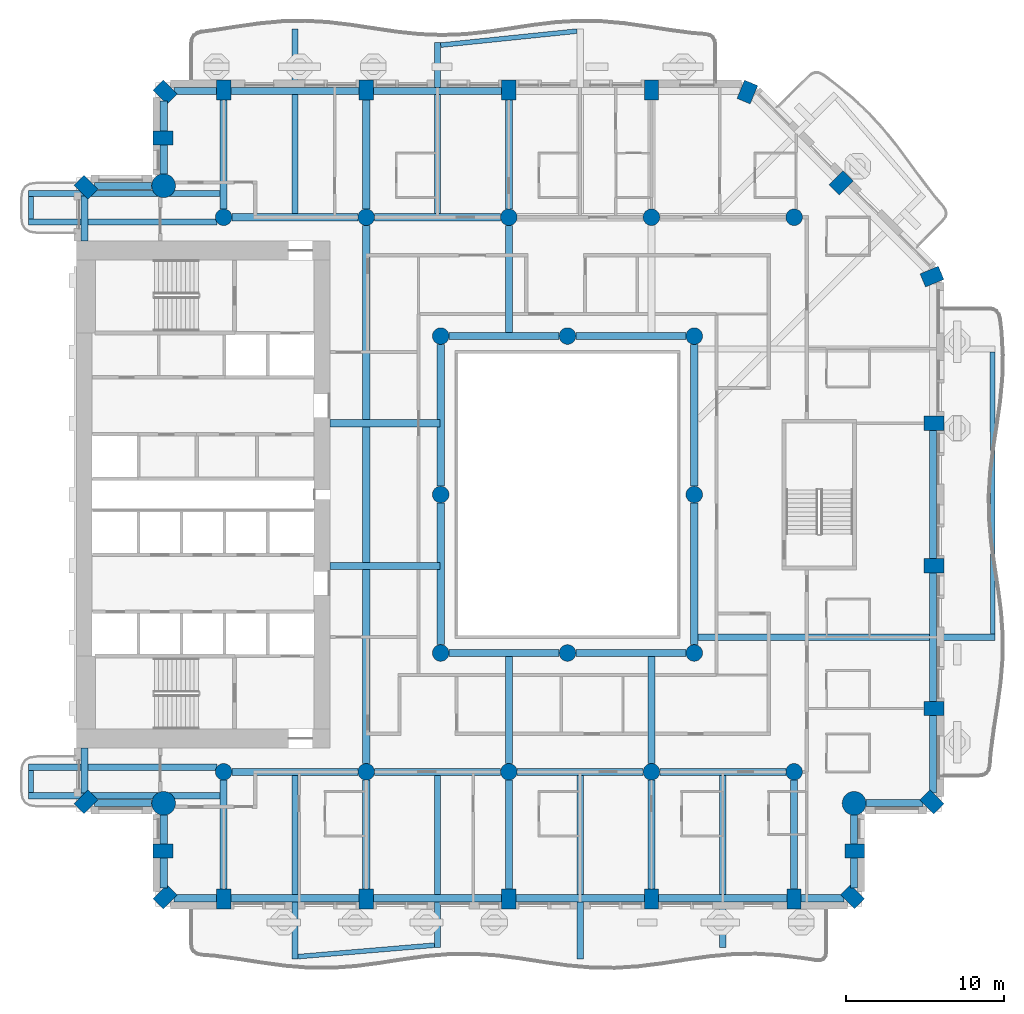
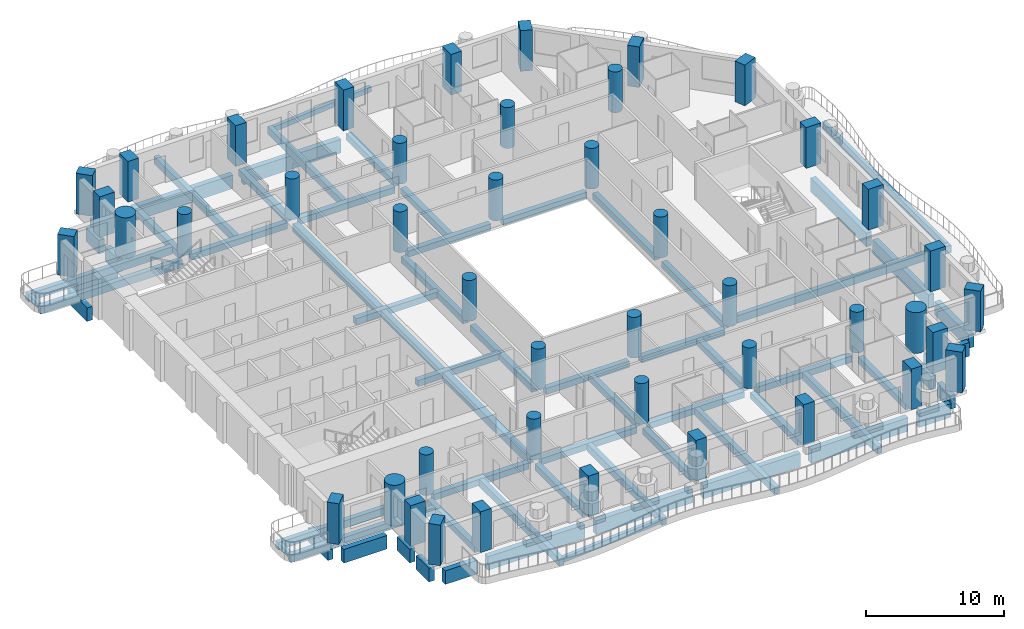
# One storey, part 1 of 20: 69 beams, 45 columns.
"""IFC4 building model written with IfcOpenShell, lengths in metres."""

from ifc_helpers import new_model, si_unit, direction, frame, origin, origin_2d, place, context, subcontext, project, spatial, rectangle, circle, extrude, material, material_profile, profile_set, type_object, element, save


model = new_model("IFC4")

# Units and contexts
model_context = context("Model", 3, precision=1e-05, world=origin(), true_north=direction((0.0, 1.0)))
body_context = subcontext(model_context, "Body", "Model", "MODEL_VIEW")
ifc_project = project(units=[si_unit("LENGTHUNIT", "METRE"), si_unit("AREAUNIT", "SQUARE_METRE"), si_unit("VOLUMEUNIT", "CUBIC_METRE"), si_unit("PLANEANGLEUNIT", "RADIAN"), si_unit("MASSUNIT", "GRAM", prefix="KILO")], contexts=[model_context])

# Site, building, storey
site_placement = place(None, origin())
site = spatial("IfcSite", under=ifc_project, at=site_placement, CompositionType="ELEMENT")
building_placement = place(site_placement, origin())
building = spatial("IfcBuilding", under=site, at=building_placement, Name="Cypress Arch Tower", CompositionType="ELEMENT")
storey_placement = place(building_placement, frame((0.0, 0.0, 131.10009765625)))
storey = spatial("IfcBuildingStorey", under=building, at=storey_placement, Name="L28", CompositionType="ELEMENT", Elevation=131.10009765625)

# Columns
ifc_material_1 = material(Name="Concrete C80/95", Category="concrete")
ifc_material_profile_1 = material_profile(ifc_material_1, rectangle(XDim=0.89990234375, YDim=1.25, at=origin_2d()), Name="RC 900x1250")
ifc_profile_set_1 = profile_set([ifc_material_profile_1], Name="Concrete C80/95")
column_type_1 = type_object("IfcColumnType", Name="Column RC 900x1250 Concrete C80/95", PredefinedType="COLUMN", material=ifc_profile_set_1)
for number, where, z_axis, x_axis, name in (
    (1, (-29.389892578125, 19.389892578125, 0.0), (0.0, 0.0, 1.0), (-0.707106781187, -0.707106781187, 0.0), "Column L28 CA00"),
    (2, (-29.389892578125, -19.389892578125, 0.0), (0.0, 0.0, 1.0), (0.707106781187, -0.707106781187, 0.0), "Column L28 CA01"),
    (3, (-24.52490234375, -22.5, 0.0), (0.0, 0.0, 1.0), (0.0, -1.0, 0.0), "Column L28 CA03"),
    (4, (-24.389892578125, -25.389892578125, 0.0), (0.0, 0.0, 1.0), (0.707106781187, -0.707106781187, 0.0), "Column L28 CA04"),
    (5, (-20.699951171875, -25.52490234375, 0.0), (0.0, 0.0, 1.0), (1.0, 0.0, 0.0), "Column L28 CA05"),
    (6, (-11.699951171875, -25.52490234375, 0.0), (0.0, 0.0, 1.0), (1.0, 0.0, 0.0), "Column L28 CA06"),
    (7, (-2.699951171875, -25.52490234375, 0.0), (0.0, 0.0, 1.0), (1.0, 0.0, 0.0), "Column L28 CA07"),
    (8, (6.300048828125, -25.52490234375, 0.0), (0.0, 0.0, 1.0), (1.0, 0.0, 0.0), "Column L28 CA08"),
    (9, (15.300048828125, -25.52490234375, 0.0), (0.0, 0.0, 1.0), (1.0, 0.0, 0.0), "Column L28 CA09"),
    (10, (18.98974609375, -25.389892578125, 0.0), (0.0, 0.0, 1.0), (0.707106781187, 0.707106781187, 0.0), "Column L28 CA10"),
    (11, (19.125, -22.5, 0.0), (0.0, 0.0, 1.0), (0.0, 1.0, 0.0), "Column L28 CA11"),
    (12, (23.98974609375, -19.389892578125, 0.0), (0.0, 0.0, 1.0), (0.707106781187, 0.707106781187, 0.0), "Column L28 CA13"),
    (13, (24.125, -13.5, 0.0), (0.0, 0.0, 1.0), (0.0, 1.0, 0.0), "Column L28 CA14"),
    (14, (24.125, -4.5, 0.0), (0.0, 0.0, 1.0), (0.0, 1.0, 0.0), "Column L28 CA15"),
    (15, (24.125, 4.5, 0.0), (0.0, 0.0, 1.0), (0.0, 1.0, 0.0), "Column L28 CA16"),
    (16, (24.00048828125, 13.751708984375, 0.0), (0.0, 0.0, 1.0), (-0.382683496864, 0.923879505795, 0.0), "Column L28 CA17"),
    (17, (18.26416015625, 19.6640625, 0.0), (0.0, 0.0, 1.0), (-0.707106781187, 0.707106781187, 0.0), "Column L28 CA18"),
    (18, (12.3515625, 25.400390625, 0.0), (0.0, 0.0, 1.0), (-0.923879505795, 0.382683496864, 0.0), "Column L28 CA19"),
    (19, (6.300048828125, 25.52490234375, 0.0), (0.0, 0.0, 1.0), (-1.0, 0.0, 0.0), "Column L28 CA20"),
    (20, (-2.699951171875, 25.52490234375, 0.0), (0.0, 0.0, 1.0), (-1.0, 0.0, 0.0), "Column L28 CA21"),
    (21, (-11.699951171875, 25.52490234375, 0.0), (0.0, 0.0, 1.0), (-1.0, 0.0, 0.0), "Column L28 CA22"),
    (22, (-20.699951171875, 25.52490234375, 0.0), (0.0, 0.0, 1.0), (-1.0, 0.0, 0.0), "Column L28 CA23"),
    (23, (-24.389892578125, 25.389892578125, 0.0), (0.0, 0.0, 1.0), (-0.707106781187, -0.707106781187, 0.0), "Column L28 CA24"),
    (24, (-24.52490234375, 22.5, 0.0), (0.0, 0.0, 1.0), (0.0, -1.0, 0.0), "Column L28 CA25"),
):
    element("IfcColumn", number, at=place(storey_placement, frame(where, z_axis=z_axis, x_axis=x_axis)), inside=storey, type_object=column_type_1, Name=name, PredefinedType="COLUMN", context=body_context, shape_type="SweptSolid", body=[
        extrude(rectangle(XDim=0.89990234375, YDim=1.25, at=origin_2d()), origin(), (0.0, 0.0, 1.0), 3.599853515625),
    ])
ifc_material_2 = material(Name="Concrete C70/85", Category="concrete")
ifc_material_profile_2 = material_profile(ifc_material_2, circle(Radius=0.52490234375, at=origin_2d()), Name="RC D1050")
ifc_profile_set_2 = profile_set([ifc_material_profile_2], Name="Concrete C70/85")
column_type_2 = type_object("IfcColumnType", Name="Column RC D1050 Concrete C70/85", PredefinedType="COLUMN", material=ifc_profile_set_2)
for number, where, z_axis, x_axis, name in (
    (25, (-20.699951171875, -17.5, 0.0), (0.0, 0.0, 1.0), (1.0, 0.0, 0.0), "Column L28 CIC-L28-CI3S"),
    (26, (-11.699951171875, -17.5, 0.0), (0.0, 0.0, 1.0), (1.0, 0.0, 0.0), "Column L28 CIC-L28-CI4S"),
    (27, (-2.699951171875, -17.5, 0.0), (0.0, 0.0, 1.0), (1.0, 0.0, 0.0), "Column L28 CIC-L28-CI5S"),
    (28, (6.300048828125, -17.5, 0.0), (0.0, 0.0, 1.0), (1.0, 0.0, 0.0), "Column L28 CIC-L28-CI6S"),
    (29, (15.300048828125, -17.5, 0.0), (0.0, 0.0, 1.0), (1.0, 0.0, 0.0), "Column L28 CIC-L28-CI7S"),
    (30, (-20.699951171875, 17.5, 0.0), (0.0, 0.0, 1.0), (1.0, 0.0, 0.0), "Column L28 CIC-L28-CI3N"),
    (31, (-11.699951171875, 17.5, 0.0), (0.0, 0.0, 1.0), (1.0, 0.0, 0.0), "Column L28 CIC-L28-CI4N"),
    (32, (-2.699951171875, 17.5, 0.0), (0.0, 0.0, 1.0), (1.0, 0.0, 0.0), "Column L28 CIC-L28-CI5N"),
    (33, (6.300048828125, 17.5, 0.0), (0.0, 0.0, 1.0), (1.0, 0.0, 0.0), "Column L28 CIC-L28-CI6N"),
    (34, (15.300048828125, 17.5, 0.0), (0.0, 0.0, 1.0), (1.0, 0.0, 0.0), "Column L28 CIC-L28-CI7N"),
    (35, (-7.0, -10.0, 0.0), (0.0, 0.0, 1.0), (1.0, 0.0, 0.0), "Column L28 RNG-L28-G-7-10"),
    (36, (-7.0, 0.0, 0.0), (0.0, 0.0, 1.0), (1.0, 0.0, 0.0), "Column L28 RNG-L28-G-7+0"),
    (37, (-7.0, 10.0, 0.0), (0.0, 0.0, 1.0), (1.0, 0.0, 0.0), "Column L28 RNG-L28-G-7+10"),
    (38, (1.0, -10.0, 0.0), (0.0, 0.0, 1.0), (1.0, 0.0, 0.0), "Column L28 RNG-L28-G+1-10"),
    (39, (1.0, 10.0, 0.0), (0.0, 0.0, 1.0), (1.0, 0.0, 0.0), "Column L28 RNG-L28-G+1+10"),
    (40, (9.0, -10.0, 0.0), (0.0, 0.0, 1.0), (1.0, 0.0, 0.0), "Column L28 RNG-L28-G+9-10"),
    (41, (9.0, 0.0, 0.0), (0.0, 0.0, 1.0), (1.0, 0.0, 0.0), "Column L28 RNG-L28-G+9+0"),
    (42, (9.0, 10.0, 0.0), (0.0, 0.0, 1.0), (1.0, 0.0, 0.0), "Column L28 RNG-L28-G+9+10"),
):
    element("IfcColumn", number, at=place(storey_placement, frame(where, z_axis=z_axis, x_axis=x_axis)), inside=storey, type_object=column_type_2, Name=name, PredefinedType="COLUMN", context=body_context, shape_type="SweptSolid", body=[
        extrude(circle(Radius=0.52490234375, at=origin_2d()), origin(), (0.0, 0.0, 1.0), 3.599853515625),
    ])
ifc_material_3 = material(Name="Concrete C80/95", Category="concrete")
ifc_material_profile_3 = material_profile(ifc_material_3, circle(Radius=0.75, at=origin_2d()), Name="RC D1500")
ifc_profile_set_3 = profile_set([ifc_material_profile_3], Name="Concrete C80/95")
column_type_3 = type_object("IfcColumnType", Name="Mega-column RC D1500 Concrete C80/95", PredefinedType="COLUMN", material=ifc_profile_set_3)
for number, where, z_axis, x_axis, name in (
    (43, (-24.48779296875, -19.48779296875, 0.0), (0.0, 0.0, 1.0), (1.0, 0.0, 0.0), "Column L28 CA02"),
    (44, (19.087890625, -19.48779296875, 0.0), (0.0, 0.0, 1.0), (1.0, 0.0, 0.0), "Column L28 CA12"),
    (45, (-24.48779296875, 19.48779296875, 0.0), (0.0, 0.0, 1.0), (1.0, 0.0, 0.0), "Column L28 CA26"),
):
    element("IfcColumn", number, at=place(storey_placement, frame(where, z_axis=z_axis, x_axis=x_axis)), inside=storey, type_object=column_type_3, Name=name, PredefinedType="COLUMN", context=body_context, shape_type="SweptSolid", body=[
        extrude(circle(Radius=0.75, at=origin_2d()), origin(), (0.0, 0.0, 1.0), 3.599853515625),
    ])

# Beams
ifc_material_4 = material(Name="Concrete C50/60", Category="concrete")
ifc_material_profile_4 = material_profile(ifc_material_4, rectangle(XDim=0.300048828125, YDim=0.449951171875, at=origin_2d()), Name="RC 300x450")
ifc_profile_set_4 = profile_set([ifc_material_profile_4], Name="Concrete C50/60")
beam_type_1 = type_object("IfcBeamType", Name="Balcony edge beam RC 300x450 Concrete C50/60", PredefinedType="BEAM", material=ifc_profile_set_4)
beam_1_placement = place(storey_placement, frame((-16.0, -29.16064453125, -0.525146484375), z_axis=(0.996502311541, 0.083565202643, 0.0), x_axis=(-0.083565202643, 0.996502311541, 0.0)))
element("IfcBeam", 46, at=beam_1_placement, inside=storey, type_object=beam_type_1, Name="Balcony edge beam L28 A03", PredefinedType="BEAM", context=body_context, shape_type="SweptSolid", body=[
    extrude(rectangle(XDim=0.300048828125, YDim=0.449951171875, at=origin_2d()), origin(), (0.0, 0.0, 1.0), 8.63037109375),
])
beam_2_placement = place(storey_placement, frame((1.60009765625, 29.244384765625, -0.525146484375), z_axis=(-0.994766876942, -0.102170742088, 0.0), x_axis=(0.102170742088, -0.994766876942, 0.0)))
element("IfcBeam", 47, at=beam_2_placement, inside=storey, type_object=beam_type_1, Name="Balcony edge beam L28 A08", PredefinedType="BEAM", context=body_context, shape_type="SweptSolid", body=[
    extrude(rectangle(XDim=0.300048828125, YDim=0.449951171875, at=origin_2d()), origin(), (0.0, 0.0, 1.0), 8.645263671875),
])
ifc_material_5 = material(Name="Concrete C50/60", Category="concrete")
ifc_material_profile_5 = material_profile(ifc_material_5, rectangle(XDim=0.300048828125, YDim=0.64990234375, at=origin_2d()), Name="RC 300x650")
ifc_profile_set_5 = profile_set([ifc_material_profile_5], Name="Concrete C50/60")
beam_type_2 = type_object("IfcBeamType", Name="Balcony edge beam RC 300x650 Concrete C50/60", PredefinedType="BEAM", material=ifc_profile_set_5)
beam_3_placement = place(storey_placement, frame((27.83935546875, -8.800048828125, -0.625), z_axis=(-0.000741157375, 0.999999725343, 0.0), x_axis=(-0.999999725343, -0.000741157375, 0.0)))
element("IfcBeam", 48, at=beam_3_placement, inside=storey, type_object=beam_type_2, Name="Balcony edge beam L28 A06", PredefinedType="BEAM", context=body_context, shape_type="SweptSolid", body=[
    extrude(rectangle(XDim=0.300048828125, YDim=0.64990234375, at=origin_2d()), origin(), (0.0, 0.0, 1.0), 17.787841796875),
])
ifc_material_6 = material(Name="Concrete C50/60", Category="concrete")
ifc_material_profile_6 = material_profile(ifc_material_6, rectangle(XDim=0.300048828125, YDim=0.39990234375, at=origin_2d()), Name="RC 300x400")
ifc_profile_set_6 = profile_set([ifc_material_profile_6], Name="Concrete C50/60")
beam_type_3 = type_object("IfcBeamType", Name="Balcony stub beam RC 300x400 Concrete C50/60", PredefinedType="BEAM", material=ifc_profile_set_6)
for number, where, z_axis, x_axis, name in (
    (49, (-32.85009765625, 18.800048828125, -0.5), (0.0, -1.0, 0.0), (1.0, 0.0, 0.0), "Balcony stub beam L28 A00W0"),
    (50, (-32.85009765625, -17.39990234375, -0.5), (0.0, -1.0, 0.0), (1.0, 0.0, 0.0), "Balcony stub beam L28 A00W1"),
):
    element("IfcBeam", number, at=place(storey_placement, frame(where, z_axis=z_axis, x_axis=x_axis)), inside=storey, type_object=beam_type_3, Name=name, PredefinedType="BEAM", context=body_context, shape_type="SweptSolid", body=[
        extrude(rectangle(XDim=0.300048828125, YDim=0.39990234375, at=origin_2d()), origin(), (0.0, 0.0, 1.0), 1.400146484375),
    ])
ifc_material_7 = material(Name="Concrete C50/60", Category="concrete")
ifc_material_profile_7 = material_profile(ifc_material_7, rectangle(XDim=0.39990234375, YDim=0.64990234375, at=origin_2d()), Name="RC 400x650")
ifc_profile_set_7 = profile_set([ifc_material_profile_7], Name="Concrete C50/60")
beam_type_4 = type_object("IfcBeamType", Name="Cantilever beam RC 400x650 Concrete C50/60", PredefinedType="BEAM", material=ifc_profile_set_7)
beam_4_placement = place(storey_placement, frame((-20.925048828125, 19.0, -0.625), z_axis=(-1.0, 0.0, 0.0), x_axis=(0.0, -1.0, 0.0)))
element("IfcBeam", 51, at=beam_4_placement, inside=storey, type_object=beam_type_4, Name="Cantilever beam L28 A00 1", PredefinedType="BEAM", context=body_context, shape_type="SweptSolid", body=[
    extrude(rectangle(XDim=0.39990234375, YDim=0.64990234375, at=origin_2d()), origin(), (0.0, 0.0, 1.0), 12.074951171875),
])
for number, where, z_axis, x_axis, name in (
    (52, (-21.130615234375, 17.199951171875, -0.625), (-1.0, 0.0, 0.0), (0.0, -1.0, 0.0), "Cantilever beam L28 A00 2"),
    (53, (-21.130615234375, -17.199951171875, -0.625), (-1.0, 0.0, 0.0), (0.0, -1.0, 0.0), "Cantilever beam L28 A00 1"),
):
    element("IfcBeam", number, at=place(storey_placement, frame(where, z_axis=z_axis, x_axis=x_axis)), inside=storey, type_object=beam_type_4, Name=name, PredefinedType="BEAM", context=body_context, shape_type="SweptSolid", body=[
        extrude(rectangle(XDim=0.39990234375, YDim=0.64990234375, at=origin_2d()), origin(), (0.0, 0.0, 1.0), 11.869384765625),
    ])
beam_5_placement = place(storey_placement, frame((-20.925048828125, -19.0, -0.625), z_axis=(-1.0, 0.0, 0.0), x_axis=(0.0, -1.0, 0.0)))
element("IfcBeam", 54, at=beam_5_placement, inside=storey, type_object=beam_type_4, Name="Cantilever beam L28 A00 2", PredefinedType="BEAM", context=body_context, shape_type="SweptSolid", body=[
    extrude(rectangle(XDim=0.39990234375, YDim=0.64990234375, at=origin_2d()), origin(), (0.0, 0.0, 1.0), 12.074951171875),
])
beam_6_placement = place(storey_placement, frame((-16.199951171875, -17.72509765625, -0.625), z_axis=(0.0, -1.0, 0.0), x_axis=(1.0, 0.0, 0.0)))
element("IfcBeam", 55, at=beam_6_placement, inside=storey, type_object=beam_type_4, Name="Cantilever beam L28 A03 1", PredefinedType="BEAM", context=body_context, shape_type="SweptSolid", body=[
    extrude(rectangle(XDim=0.39990234375, YDim=0.64990234375, at=origin_2d()), origin(), (0.0, 0.0, 1.0), 11.585693359375),
])
beam_7_placement = place(storey_placement, frame((-7.199951171875, -17.72509765625, -0.625), z_axis=(0.0, -1.0, 0.0), x_axis=(1.0, 0.0, 0.0)))
element("IfcBeam", 56, at=beam_7_placement, inside=storey, type_object=beam_type_4, Name="Cantilever beam L28 A03 2", PredefinedType="BEAM", context=body_context, shape_type="SweptSolid", body=[
    extrude(rectangle(XDim=0.39990234375, YDim=0.64990234375, at=origin_2d()), origin(), (0.0, 0.0, 1.0), 10.8642578125),
])
beam_8_placement = place(storey_placement, frame((1.800048828125, -17.72509765625, -0.625), z_axis=(0.0, -1.0, 0.0), x_axis=(1.0, 0.0, 0.0)))
element("IfcBeam", 57, at=beam_8_placement, inside=storey, type_object=beam_type_4, Name="Cantilever beam L28 A03 3", PredefinedType="BEAM", context=body_context, shape_type="SweptSolid", body=[
    extrude(rectangle(XDim=0.39990234375, YDim=0.64990234375, at=origin_2d()), origin(), (0.0, 0.0, 1.0), 11.585693359375),
])
beam_9_placement = place(storey_placement, frame((10.800048828125, -17.72509765625, -0.625), z_axis=(0.0, -1.0, 0.0), x_axis=(1.0, 0.0, 0.0)))
element("IfcBeam", 58, at=beam_9_placement, inside=storey, type_object=beam_type_4, Name="Cantilever beam L28 A03 4", PredefinedType="BEAM", context=body_context, shape_type="SweptSolid", body=[
    extrude(rectangle(XDim=0.39990234375, YDim=0.64990234375, at=origin_2d()), origin(), (0.0, 0.0, 1.0), 10.863525390625),
])
beam_10_placement = place(storey_placement, frame((9.22509765625, -9.0, -0.625), z_axis=(1.0, 0.0, 0.0), x_axis=(0.0, 1.0, 0.0)))
element("IfcBeam", 59, at=beam_10_placement, inside=storey, type_object=beam_type_4, Name="Cantilever beam L28 A06 1", PredefinedType="BEAM", context=body_context, shape_type="SweptSolid", body=[
    extrude(rectangle(XDim=0.39990234375, YDim=0.64990234375, at=origin_2d()), origin(), (0.0, 0.0, 1.0), 18.764404296875),
])
beam_11_placement = place(storey_placement, frame((-7.199951171875, 17.72509765625, -0.625), z_axis=(0.0, 1.0, 0.0), x_axis=(-1.0, 0.0, 0.0)))
element("IfcBeam", 60, at=beam_11_placement, inside=storey, type_object=beam_type_4, Name="Cantilever beam L28 A08 2", PredefinedType="BEAM", context=body_context, shape_type="SweptSolid", body=[
    extrude(rectangle(XDim=0.39990234375, YDim=0.64990234375, at=origin_2d()), origin(), (0.0, 0.0, 1.0), 10.7861328125),
])
beam_12_placement = place(storey_placement, frame((-16.199951171875, 17.72509765625, -0.625), z_axis=(0.0, 1.0, 0.0), x_axis=(-1.0, 0.0, 0.0)))
element("IfcBeam", 61, at=beam_12_placement, inside=storey, type_object=beam_type_4, Name="Cantilever beam L28 A08 3", PredefinedType="BEAM", context=body_context, shape_type="SweptSolid", body=[
    extrude(rectangle(XDim=0.39990234375, YDim=0.64990234375, at=origin_2d()), origin(), (0.0, 0.0, 1.0), 11.65869140625),
])
ifc_material_8 = material(Name="Concrete C50/60", Category="concrete")
ifc_material_profile_8 = material_profile(ifc_material_8, rectangle(XDim=0.449951171875, YDim=0.550048828125, at=origin_2d()), Name="RC 450x550")
ifc_profile_set_8 = profile_set([ifc_material_profile_8], Name="Concrete C50/60")
beam_type_5 = type_object("IfcBeamType", Name="Floor beam RC 450x550 Concrete C50/60", PredefinedType="BEAM", material=ifc_profile_set_8)
for number, where, z_axis, x_axis, name in (
    (62, (-7.0, -9.47509765625, -0.5751953125), (0.0, 1.0, 0.0), (-1.0, 0.0, 0.0), "Floor beam L28 RB001"),
    (63, (-7.0, 0.52490234375, -0.5751953125), (0.0, 1.0, 0.0), (-1.0, 0.0, 0.0), "Floor beam L28 RB002"),
    (64, (9.0, -9.47509765625, -0.5751953125), (0.0, 1.0, 0.0), (-1.0, 0.0, 0.0), "Floor beam L28 RB003"),
    (65, (9.0, 0.52490234375, -0.5751953125), (0.0, 1.0, 0.0), (-1.0, 0.0, 0.0), "Floor beam L28 RB004"),
):
    element("IfcBeam", number, at=place(storey_placement, frame(where, z_axis=z_axis, x_axis=x_axis)), inside=storey, type_object=beam_type_5, Name=name, PredefinedType="BEAM", context=body_context, shape_type="SweptSolid", body=[
        extrude(rectangle(XDim=0.449951171875, YDim=0.550048828125, at=origin_2d()), origin(), (0.0, 0.0, 1.0), 8.9501953125),
    ])
for number, where, z_axis, x_axis, name in (
    (66, (-6.47509765625, -10.0, -0.5751953125), (1.0, 0.0, 0.0), (0.0, 1.0, 0.0), "Floor beam L28 RB005"),
    (67, (1.52490234375, -10.0, -0.5751953125), (1.0, 0.0, 0.0), (0.0, 1.0, 0.0), "Floor beam L28 RB006"),
    (68, (-6.47509765625, 10.0, -0.5751953125), (1.0, 0.0, 0.0), (0.0, 1.0, 0.0), "Floor beam L28 RB007"),
    (69, (1.52490234375, 10.0, -0.5751953125), (1.0, 0.0, 0.0), (0.0, 1.0, 0.0), "Floor beam L28 RB008"),
):
    element("IfcBeam", number, at=place(storey_placement, frame(where, z_axis=z_axis, x_axis=x_axis)), inside=storey, type_object=beam_type_5, Name=name, PredefinedType="BEAM", context=body_context, shape_type="SweptSolid", body=[
        extrude(rectangle(XDim=0.449951171875, YDim=0.550048828125, at=origin_2d()), origin(), (0.0, 0.0, 1.0), 6.9501953125),
    ])
for number, where, z_axis, x_axis, name in (
    (70, (-20.175048828125, -17.5, -0.5751953125), (1.0, 0.0, 0.0), (0.0, 1.0, 0.0), "Floor beam L28 FB009"),
    (71, (-11.175048828125, -17.5, -0.5751953125), (1.0, 0.0, 0.0), (0.0, 1.0, 0.0), "Floor beam L28 FB010"),
    (72, (-2.175048828125, -17.5, -0.5751953125), (1.0, 0.0, 0.0), (0.0, 1.0, 0.0), "Floor beam L28 FB011"),
    (73, (6.824951171875, -17.5, -0.5751953125), (1.0, 0.0, 0.0), (0.0, 1.0, 0.0), "Floor beam L28 FB012"),
):
    element("IfcBeam", number, at=place(storey_placement, frame(where, z_axis=z_axis, x_axis=x_axis)), inside=storey, type_object=beam_type_5, Name=name, PredefinedType="BEAM", context=body_context, shape_type="SweptSolid", body=[
        extrude(rectangle(XDim=0.449951171875, YDim=0.550048828125, at=origin_2d()), origin(), (0.0, 0.0, 1.0), 7.949951171875),
    ])
for number, where, z_axis, x_axis, name in (
    (74, (-14.0, -4.5, -0.5751953125), (1.0, 0.0, 0.0), (0.0, 1.0, 0.0), "Floor beam L28 FB013"),
    (75, (-14.0, 4.5, -0.5751953125), (1.0, 0.0, 0.0), (0.0, 1.0, 0.0), "Floor beam L28 FB014"),
):
    element("IfcBeam", number, at=place(storey_placement, frame(where, z_axis=z_axis, x_axis=x_axis)), inside=storey, type_object=beam_type_5, Name=name, PredefinedType="BEAM", context=body_context, shape_type="SweptSolid", body=[
        extrude(rectangle(XDim=0.449951171875, YDim=0.550048828125, at=origin_2d()), origin(), (0.0, 0.0, 1.0), 6.949951171875),
    ])
for number, where, z_axis, x_axis, name in (
    (76, (-20.175048828125, 17.5, -0.5751953125), (1.0, 0.0, 0.0), (0.0, 1.0, 0.0), "Floor beam L28 FB015"),
    (77, (-11.175048828125, 17.5, -0.5751953125), (1.0, 0.0, 0.0), (0.0, 1.0, 0.0), "Floor beam L28 FB016"),
):
    element("IfcBeam", number, at=place(storey_placement, frame(where, z_axis=z_axis, x_axis=x_axis)), inside=storey, type_object=beam_type_5, Name=name, PredefinedType="BEAM", context=body_context, shape_type="SweptSolid", body=[
        extrude(rectangle(XDim=0.449951171875, YDim=0.550048828125, at=origin_2d()), origin(), (0.0, 0.0, 1.0), 7.949951171875),
    ])
for number, where, z_axis, x_axis, name in (
    (78, (-20.699951171875, -24.89990234375, -0.5751953125), (0.0, 1.0, 0.0), (-1.0, 0.0, 0.0), "Floor beam L28 FB019"),
    (79, (-20.699951171875, 18.02490234375, -0.5751953125), (0.0, 1.0, 0.0), (-1.0, 0.0, 0.0), "Floor beam L28 FB020"),
    (80, (-11.699951171875, -24.89990234375, -0.5751953125), (0.0, 1.0, 0.0), (-1.0, 0.0, 0.0), "Floor beam L28 FB021"),
):
    element("IfcBeam", number, at=place(storey_placement, frame(where, z_axis=z_axis, x_axis=x_axis)), inside=storey, type_object=beam_type_5, Name=name, PredefinedType="BEAM", context=body_context, shape_type="SweptSolid", body=[
        extrude(rectangle(XDim=0.449951171875, YDim=0.550048828125, at=origin_2d()), origin(), (0.0, 0.0, 1.0), 6.875),
    ])
beam_13_placement = place(storey_placement, frame((-11.699951171875, -4.27490234375, -0.5751953125), z_axis=(0.0, 1.0, 0.0), x_axis=(-1.0, 0.0, 0.0)))
element("IfcBeam", 81, at=beam_13_placement, inside=storey, type_object=beam_type_5, Name="Floor beam L28 FB023", PredefinedType="BEAM", context=body_context, shape_type="SweptSolid", body=[
    extrude(rectangle(XDim=0.449951171875, YDim=0.550048828125, at=origin_2d()), origin(), (0.0, 0.0, 1.0), 8.5498046875),
])
for number, where, z_axis, x_axis, name in (
    (82, (-11.699951171875, 18.02490234375, -0.5751953125), (0.0, 1.0, 0.0), (-1.0, 0.0, 0.0), "Floor beam L28 FB025"),
    (83, (-2.699951171875, -24.89990234375, -0.5751953125), (0.0, 1.0, 0.0), (-1.0, 0.0, 0.0), "Floor beam L28 FB026"),
):
    element("IfcBeam", number, at=place(storey_placement, frame(where, z_axis=z_axis, x_axis=x_axis)), inside=storey, type_object=beam_type_5, Name=name, PredefinedType="BEAM", context=body_context, shape_type="SweptSolid", body=[
        extrude(rectangle(XDim=0.449951171875, YDim=0.550048828125, at=origin_2d()), origin(), (0.0, 0.0, 1.0), 6.875),
    ])
for number, where, z_axis, x_axis, name in (
    (84, (-2.699951171875, -16.97509765625, -0.5751953125), (0.0, 1.0, 0.0), (-1.0, 0.0, 0.0), "Floor beam L28 FB027"),
    (85, (-2.699951171875, 10.22509765625, -0.5751953125), (0.0, 1.0, 0.0), (-1.0, 0.0, 0.0), "Floor beam L28 FB028"),
):
    element("IfcBeam", number, at=place(storey_placement, frame(where, z_axis=z_axis, x_axis=x_axis)), inside=storey, type_object=beam_type_5, Name=name, PredefinedType="BEAM", context=body_context, shape_type="SweptSolid", body=[
        extrude(rectangle(XDim=0.449951171875, YDim=0.550048828125, at=origin_2d()), origin(), (0.0, 0.0, 1.0), 6.75),
    ])
for number, where, z_axis, x_axis, name in (
    (86, (-2.699951171875, 18.02490234375, -0.5751953125), (0.0, 1.0, 0.0), (-1.0, 0.0, 0.0), "Floor beam L28 FB029"),
    (87, (6.300048828125, -24.89990234375, -0.5751953125), (0.0, 1.0, 0.0), (-1.0, 0.0, 0.0), "Floor beam L28 FB030"),
):
    element("IfcBeam", number, at=place(storey_placement, frame(where, z_axis=z_axis, x_axis=x_axis)), inside=storey, type_object=beam_type_5, Name=name, PredefinedType="BEAM", context=body_context, shape_type="SweptSolid", body=[
        extrude(rectangle(XDim=0.449951171875, YDim=0.550048828125, at=origin_2d()), origin(), (0.0, 0.0, 1.0), 6.875),
    ])
beam_14_placement = place(storey_placement, frame((6.300048828125, -16.97509765625, -0.5751953125), z_axis=(0.0, 1.0, 0.0), x_axis=(-1.0, 0.0, 0.0)))
element("IfcBeam", 88, at=beam_14_placement, inside=storey, type_object=beam_type_5, Name="Floor beam L28 FB031", PredefinedType="BEAM", context=body_context, shape_type="SweptSolid", body=[
    extrude(rectangle(XDim=0.449951171875, YDim=0.550048828125, at=origin_2d()), origin(), (0.0, 0.0, 1.0), 6.75),
])
beam_15_placement = place(storey_placement, frame((15.300048828125, -24.89990234375, -0.5751953125), z_axis=(0.0, 1.0, 0.0), x_axis=(-1.0, 0.0, 0.0)))
element("IfcBeam", 89, at=beam_15_placement, inside=storey, type_object=beam_type_5, Name="Floor beam L28 FB034", PredefinedType="BEAM", context=body_context, shape_type="SweptSolid", body=[
    extrude(rectangle(XDim=0.449951171875, YDim=0.550048828125, at=origin_2d()), origin(), (0.0, 0.0, 1.0), 6.875),
])
ifc_material_9 = material(Name="Concrete C50/60", Category="concrete")
ifc_material_profile_9 = material_profile(ifc_material_9, rectangle(XDim=0.5, YDim=0.699951171875, at=origin_2d()), Name="RC 500x700")
ifc_profile_set_9 = profile_set([ifc_material_profile_9], Name="Concrete C50/60")
beam_type_6 = type_object("IfcBeamType", Name="Floor beam RC 500x700 Concrete C50/60", PredefinedType="BEAM", material=ifc_profile_set_9)
for number, where, z_axis, x_axis, name in (
    (90, (-11.699951171875, -16.97509765625, -0.650146484375), (0.0, 1.0, 0.0), (-1.0, 0.0, 0.0), "Floor beam L28 FB022"),
    (91, (-11.699951171875, 4.72509765625, -0.650146484375), (0.0, 1.0, 0.0), (-1.0, 0.0, 0.0), "Floor beam L28 FB024"),
):
    element("IfcBeam", number, at=place(storey_placement, frame(where, z_axis=z_axis, x_axis=x_axis)), inside=storey, type_object=beam_type_6, Name=name, PredefinedType="BEAM", context=body_context, shape_type="SweptSolid", body=[
        extrude(rectangle(XDim=0.5, YDim=0.699951171875, at=origin_2d()), origin(), (0.0, 0.0, 1.0), 12.25),
    ])
ifc_material_10 = material(Name="Concrete C50/60", Category="concrete")
ifc_material_profile_10 = material_profile(ifc_material_10, rectangle(XDim=0.449951171875, YDim=1.199951171875, at=origin_2d()), Name="RC 450x1200")
ifc_profile_set_10 = profile_set([ifc_material_profile_10], Name="Concrete C50/60")
beam_type_7 = type_object("IfcBeamType", Name="Spandrel beam RC 450x1200 Concrete C50/60", PredefinedType="SPANDREL", material=ifc_profile_set_10)
for number, where, z_axis, x_axis, name in (
    (92, (-29.47509765625, 18.838623046875, -1.550048828125), (0.0, -1.0, 0.0), (1.0, 0.0, 0.0), "Spandrel beam L28 BA00-0"),
    (93, (-29.47509765625, -16.0, -1.550048828125), (0.0, -1.0, 0.0), (1.0, 0.0, 0.0), "Spandrel beam L28 BA00-0"),
):
    element("IfcBeam", number, at=place(storey_placement, frame(where, z_axis=z_axis, x_axis=x_axis)), inside=storey, type_object=beam_type_7, Name=name, PredefinedType="SPANDREL", context=body_context, shape_type="SweptSolid", body=[
        extrude(rectangle(XDim=0.449951171875, YDim=1.199951171875, at=origin_2d()), origin(), (0.0, 0.0, 1.0), 2.838623046875),
    ])
beam_16_placement = place(storey_placement, frame((-28.838623046875, -19.47509765625, -1.550048828125), z_axis=(1.0, 0.0, 0.0), x_axis=(0.0, 1.0, 0.0)))
element("IfcBeam", 94, at=beam_16_placement, inside=storey, type_object=beam_type_7, Name="Spandrel beam L28 BA01-0", PredefinedType="SPANDREL", context=body_context, shape_type="SweptSolid", body=[
    extrude(rectangle(XDim=0.449951171875, YDim=1.199951171875, at=origin_2d()), origin(), (0.0, 0.0, 1.0), 3.60107421875),
])
beam_17_placement = place(storey_placement, frame((-24.47509765625, -20.237548828125, -1.550048828125), z_axis=(0.0, -1.0, 0.0), x_axis=(1.0, 0.0, 0.0)))
element("IfcBeam", 95, at=beam_17_placement, inside=storey, type_object=beam_type_7, Name="Spandrel beam L28 BA02-0", PredefinedType="SPANDREL", context=body_context, shape_type="SweptSolid", body=[
    extrude(rectangle(XDim=0.449951171875, YDim=1.199951171875, at=origin_2d()), origin(), (0.0, 0.0, 1.0), 1.8125),
])
beam_18_placement = place(storey_placement, frame((-24.47509765625, -22.949951171875, -1.550048828125), z_axis=(0.0, -1.0, 0.0), x_axis=(1.0, 0.0, 0.0)))
element("IfcBeam", 96, at=beam_18_placement, inside=storey, type_object=beam_type_7, Name="Spandrel beam L28 BA02-1", PredefinedType="SPANDREL", context=body_context, shape_type="SweptSolid", body=[
    extrude(rectangle(XDim=0.449951171875, YDim=1.199951171875, at=origin_2d()), origin(), (0.0, 0.0, 1.0), 1.888671875),
])
beam_19_placement = place(storey_placement, frame((-23.838623046875, -25.47509765625, -1.550048828125), z_axis=(1.0, 0.0, 0.0), x_axis=(0.0, 1.0, 0.0)))
element("IfcBeam", 97, at=beam_19_placement, inside=storey, type_object=beam_type_7, Name="Spandrel beam L28 BA03-0", PredefinedType="SPANDREL", context=body_context, shape_type="SweptSolid", body=[
    extrude(rectangle(XDim=0.449951171875, YDim=1.199951171875, at=origin_2d()), origin(), (0.0, 0.0, 1.0), 2.688720703125),
])
for number, where, z_axis, x_axis, name in (
    (98, (-20.25, -25.47509765625, -1.550048828125), (1.0, 0.0, 0.0), (0.0, 1.0, 0.0), "Spandrel beam L28 BA03-1"),
    (99, (-11.25, -25.47509765625, -1.550048828125), (1.0, 0.0, 0.0), (0.0, 1.0, 0.0), "Spandrel beam L28 BA03-2"),
    (100, (-2.25, -25.47509765625, -1.550048828125), (1.0, 0.0, 0.0), (0.0, 1.0, 0.0), "Spandrel beam L28 BA03-3"),
    (101, (6.75, -25.47509765625, -1.550048828125), (1.0, 0.0, 0.0), (0.0, 1.0, 0.0), "Spandrel beam L28 BA03-4"),
):
    element("IfcBeam", number, at=place(storey_placement, frame(where, z_axis=z_axis, x_axis=x_axis)), inside=storey, type_object=beam_type_7, Name=name, PredefinedType="SPANDREL", context=body_context, shape_type="SweptSolid", body=[
        extrude(rectangle(XDim=0.449951171875, YDim=1.199951171875, at=origin_2d()), origin(), (0.0, 0.0, 1.0), 8.10009765625),
    ])
beam_20_placement = place(storey_placement, frame((15.75, -25.47509765625, -1.550048828125), z_axis=(1.0, 0.0, 0.0), x_axis=(0.0, 1.0, 0.0)))
element("IfcBeam", 102, at=beam_20_placement, inside=storey, type_object=beam_type_7, Name="Spandrel beam L28 BA03-5", PredefinedType="SPANDREL", context=body_context, shape_type="SweptSolid", body=[
    extrude(rectangle(XDim=0.449951171875, YDim=1.199951171875, at=origin_2d()), origin(), (0.0, 0.0, 1.0), 2.688720703125),
])
beam_21_placement = place(storey_placement, frame((19.074951171875, -24.838623046875, -1.550048828125), z_axis=(0.0, 1.0, 0.0), x_axis=(-1.0, 0.0, 0.0)))
element("IfcBeam", 103, at=beam_21_placement, inside=storey, type_object=beam_type_7, Name="Spandrel beam L28 BA04-0", PredefinedType="SPANDREL", context=body_context, shape_type="SweptSolid", body=[
    extrude(rectangle(XDim=0.449951171875, YDim=1.199951171875, at=origin_2d()), origin(), (0.0, 0.0, 1.0), 1.888671875),
])
beam_22_placement = place(storey_placement, frame((19.074951171875, -22.050048828125, -1.550048828125), z_axis=(0.0, 1.0, 0.0), x_axis=(-1.0, 0.0, 0.0)))
element("IfcBeam", 104, at=beam_22_placement, inside=storey, type_object=beam_type_7, Name="Spandrel beam L28 BA04-1", PredefinedType="SPANDREL", context=body_context, shape_type="SweptSolid", body=[
    extrude(rectangle(XDim=0.449951171875, YDim=1.199951171875, at=origin_2d()), origin(), (0.0, 0.0, 1.0), 1.8125),
])
beam_23_placement = place(storey_placement, frame((19.837646484375, -19.47509765625, -1.550048828125), z_axis=(1.0, 0.0, 0.0), x_axis=(0.0, 1.0, 0.0)))
element("IfcBeam", 105, at=beam_23_placement, inside=storey, type_object=beam_type_7, Name="Spandrel beam L28 BA05-0", PredefinedType="SPANDREL", context=body_context, shape_type="SweptSolid", body=[
    extrude(rectangle(XDim=0.449951171875, YDim=1.199951171875, at=origin_2d()), origin(), (0.0, 0.0, 1.0), 3.60107421875),
])
beam_24_placement = place(storey_placement, frame((24.074951171875, -18.838623046875, -1.550048828125), z_axis=(0.0, 1.0, 0.0), x_axis=(-1.0, 0.0, 0.0)))
element("IfcBeam", 106, at=beam_24_placement, inside=storey, type_object=beam_type_7, Name="Spandrel beam L28 BA06-0", PredefinedType="SPANDREL", context=body_context, shape_type="SweptSolid", body=[
    extrude(rectangle(XDim=0.449951171875, YDim=1.199951171875, at=origin_2d()), origin(), (0.0, 0.0, 1.0), 4.888671875),
])
for number, where, z_axis, x_axis, name in (
    (107, (24.074951171875, -13.050048828125, -1.550048828125), (0.0, 1.0, 0.0), (-1.0, 0.0, 0.0), "Spandrel beam L28 BA06-1"),
    (108, (24.074951171875, -4.050048828125, -1.550048828125), (0.0, 1.0, 0.0), (-1.0, 0.0, 0.0), "Spandrel beam L28 BA06-2"),
    (109, (-3.14990234375, 25.47509765625, -1.550048828125), (-1.0, 0.0, 0.0), (0.0, -1.0, 0.0), "Spandrel beam L28 BA08-2"),
    (110, (-12.14990234375, 25.47509765625, -1.550048828125), (-1.0, 0.0, 0.0), (0.0, -1.0, 0.0), "Spandrel beam L28 BA08-3"),
):
    element("IfcBeam", number, at=place(storey_placement, frame(where, z_axis=z_axis, x_axis=x_axis)), inside=storey, type_object=beam_type_7, Name=name, PredefinedType="SPANDREL", context=body_context, shape_type="SweptSolid", body=[
        extrude(rectangle(XDim=0.449951171875, YDim=1.199951171875, at=origin_2d()), origin(), (0.0, 0.0, 1.0), 8.10009765625),
    ])
beam_25_placement = place(storey_placement, frame((-21.14990234375, 25.47509765625, -1.550048828125), z_axis=(-1.0, 0.0, 0.0), x_axis=(0.0, -1.0, 0.0)))
element("IfcBeam", 111, at=beam_25_placement, inside=storey, type_object=beam_type_7, Name="Spandrel beam L28 BA08-4", PredefinedType="SPANDREL", context=body_context, shape_type="SweptSolid", body=[
    extrude(rectangle(XDim=0.449951171875, YDim=1.199951171875, at=origin_2d()), origin(), (0.0, 0.0, 1.0), 2.688720703125),
])
beam_26_placement = place(storey_placement, frame((-24.47509765625, 24.838623046875, -1.550048828125), z_axis=(0.0, -1.0, 0.0), x_axis=(1.0, 0.0, 0.0)))
element("IfcBeam", 112, at=beam_26_placement, inside=storey, type_object=beam_type_7, Name="Spandrel beam L28 BA09-0", PredefinedType="SPANDREL", context=body_context, shape_type="SweptSolid", body=[
    extrude(rectangle(XDim=0.449951171875, YDim=1.199951171875, at=origin_2d()), origin(), (0.0, 0.0, 1.0), 1.888671875),
])
beam_27_placement = place(storey_placement, frame((-24.47509765625, 22.050048828125, -1.550048828125), z_axis=(0.0, -1.0, 0.0), x_axis=(1.0, 0.0, 0.0)))
element("IfcBeam", 113, at=beam_27_placement, inside=storey, type_object=beam_type_7, Name="Spandrel beam L28 BA09-1", PredefinedType="SPANDREL", context=body_context, shape_type="SweptSolid", body=[
    extrude(rectangle(XDim=0.449951171875, YDim=1.199951171875, at=origin_2d()), origin(), (0.0, 0.0, 1.0), 1.8125),
])
beam_28_placement = place(storey_placement, frame((-25.237548828125, 19.47509765625, -1.550048828125), z_axis=(-1.0, 0.0, 0.0), x_axis=(0.0, -1.0, 0.0)))
element("IfcBeam", 114, at=beam_28_placement, inside=storey, type_object=beam_type_7, Name="Spandrel beam L28 BA10-0", PredefinedType="SPANDREL", context=body_context, shape_type="SweptSolid", body=[
    extrude(rectangle(XDim=0.449951171875, YDim=1.199951171875, at=origin_2d()), origin(), (0.0, 0.0, 1.0), 3.60107421875),
])

save(model, "model.ifc")
